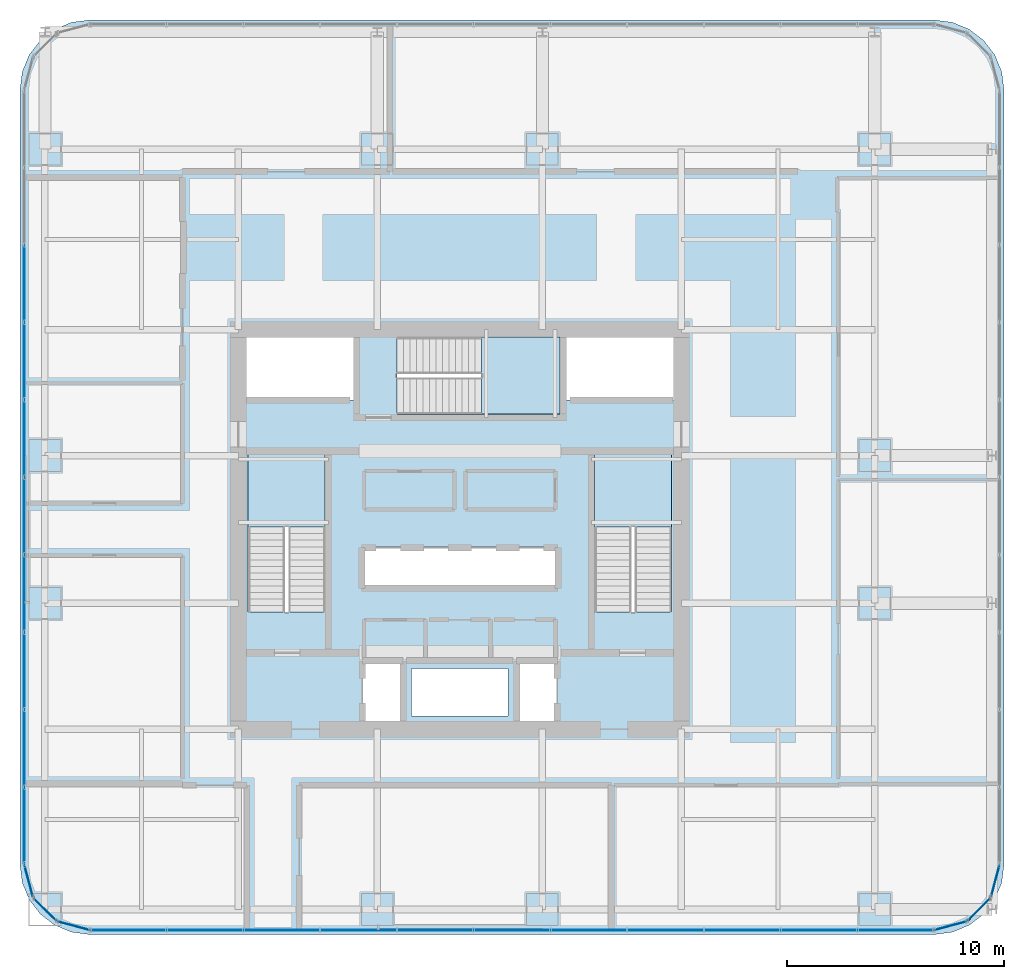
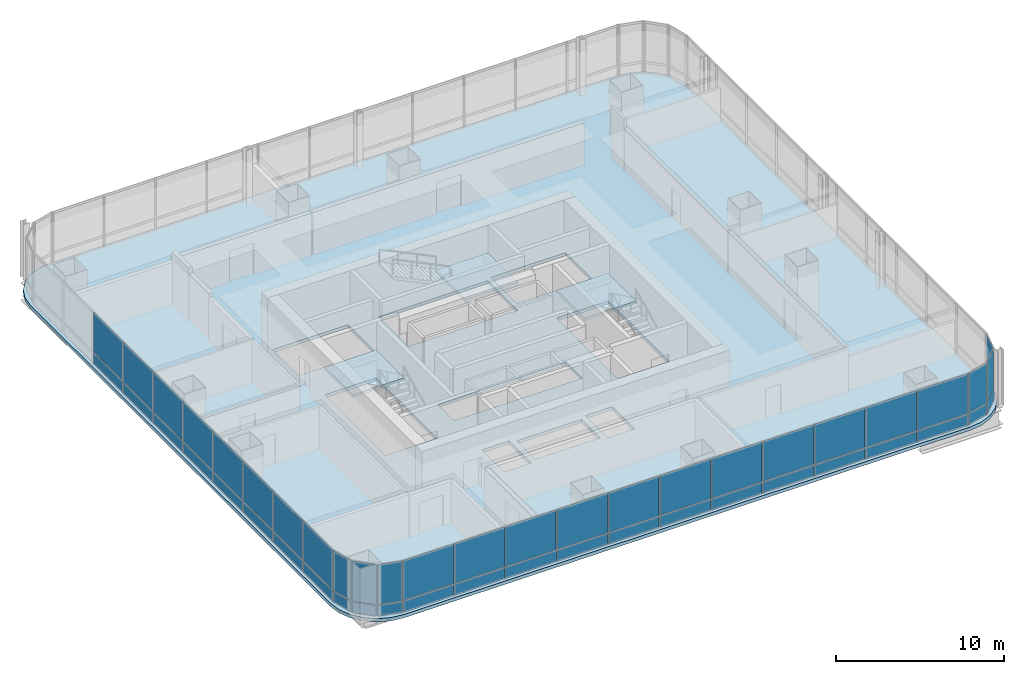
# One storey, part 25 of 34: 50 plates, 4 slabs, 11 elements without a shape of their own.
"""IFC4 building model written with IfcOpenShell, lengths in metres."""

import ifcopenshell
import ifcopenshell.guid

model = None  # the IFC model being written
_history = None  # IfcOwnerHistory: only IFC2X3 demands one
_inside = {}  # id of a spatial element -> (the spatial element, [elements in it])
_under = {}  # id of a project, library or spatial element -> (it, [spatial elements below it])
_declared = {}  # id of a project -> (the project, [libraries it declares])
_typed = {}  # id of a type object -> (the type object, [elements of that type])
_made_of = {}  # id of a material, layer set ... -> (it, [elements and type objects made of it])


def new_model(schema):
    """Start an empty IFC model of exactly this schema.

    Asked for "IFC4X3", IfcOpenShell would pick the latest addendum, in which some entities
    have other attributes; the version numbers below select the first issue.
    IFC2X3 requires an IfcOwnerHistory on every rooted entity: one is made here for all.
    """
    global model, _history
    if schema == "IFC4X3":
        model = ifcopenshell.file(schema_version=(4, 3, 0, 0))
    else:
        model = ifcopenshell.file(schema=schema)
    _inside.clear()
    _under.clear()
    _declared.clear()
    _typed.clear()
    _made_of.clear()
    _history = None
    if model.schema == "IFC2X3":
        org = make("IfcOrganization", Name="unknown")
        user = make(
            "IfcPersonAndOrganization",
            ThePerson=make("IfcPerson", FamilyName="unknown"),
            TheOrganization=org,
        )
        app = make(
            "IfcApplication",
            ApplicationDeveloper=org,
            Version="unknown",
            ApplicationFullName="unknown",
            ApplicationIdentifier="unknown",
        )
        _history = make(
            "IfcOwnerHistory",
            OwningUser=user,
            OwningApplication=app,
            ChangeAction="ADDED",
            CreationDate=0,
        )
    return model


def make(cls, **values):
    """One entity of the class cls with the attributes given. An attribute that is None is left unset."""
    return model.create_entity(
        cls, **{name: value for name, value in values.items() if value is not None}
    )


def rooted(cls, **values):
    """An entity with a GlobalId (a new one), such as an element, a storey or a relation."""
    return make(cls, GlobalId=ifcopenshell.guid.new(), OwnerHistory=_history, **values)


def si_unit(unit_type, name, prefix=None):
    """IfcSIUnit, for example si_unit("LENGTHUNIT", "METRE", prefix="MILLI")."""
    return make("IfcSIUnit", UnitType=unit_type, Prefix=prefix, Name=name)


def assignment(units):
    """IfcUnitAssignment: the units of a project."""
    return None if units is None else make("IfcUnitAssignment", Units=units)


def point(xyz):
    """IfcCartesianPoint."""
    return None if xyz is None else make("IfcCartesianPoint", Coordinates=xyz)


def direction(xyz):
    """IfcDirection."""
    return None if xyz is None else make("IfcDirection", DirectionRatios=xyz)


def frame(location, z_axis=None, x_axis=None):
    """IfcAxis2Placement3D, a coordinate frame: its origin and axes. An axis left out is left unset."""
    return make(
        "IfcAxis2Placement3D",
        Location=point(location),
        Axis=direction(z_axis),
        RefDirection=direction(x_axis),
    )


def frame_2d(location, x_axis=None):
    """IfcAxis2Placement2D, a coordinate frame in the plane: its origin and x axis."""
    return make(
        "IfcAxis2Placement2D", Location=point(location), RefDirection=direction(x_axis)
    )


def origin():
    """The frame at (0, 0, 0) with its axes left unset."""
    return frame((0.0, 0.0, 0.0))


def origin_2d():
    """The frame at (0, 0) in the plane with its x axis left unset."""
    return frame_2d((0.0, 0.0))


def place(relative_to, where):
    """IfcLocalPlacement: puts the frame where relative to a parent placement (None: the world)."""
    return make(
        "IfcLocalPlacement", PlacementRelTo=relative_to, RelativePlacement=where
    )


def context(
    kind, dimensions, precision=None, world=None, true_north=None, identifier=None
):
    """IfcGeometricRepresentationContext, for example the 3D "Model" context."""
    return make(
        "IfcGeometricRepresentationContext",
        ContextIdentifier=identifier,
        ContextType=kind,
        CoordinateSpaceDimension=dimensions,
        Precision=precision,
        WorldCoordinateSystem=world,
        TrueNorth=true_north,
    )


def subcontext(parent, identifier, kind, view, scale=None):
    """IfcGeometricRepresentationSubContext, for example "Body" below "Model"."""
    return make(
        "IfcGeometricRepresentationSubContext",
        ContextIdentifier=identifier,
        ContextType=kind,
        ParentContext=parent,
        TargetScale=scale,
        TargetView=view,
    )


def project(units=None, contexts=None):
    """IfcProject with its units and contexts."""
    return rooted(
        "IfcProject",
        Name="project",
        RepresentationContexts=contexts,
        UnitsInContext=assignment(units),
    )


def spatial(cls, under=None, at=None, **own):
    """A site, building, storey or space (cls), placed at a placement, below another one or the project."""
    s = rooted(cls, ObjectPlacement=at, **own)
    if under is not None:
        _under.setdefault(under.id(), (under, []))[1].append(s)
    return s


def polyline(points):
    """IfcPolyline through the points."""
    return make("IfcPolyline", Points=[point(p) for p in points])


def profile(cls, at=None, kind="AREA", **sizes):
    """A parametric profile (cls). Its sizes go by their IFC names, for example OverallWidth=200.0."""
    return make(cls, ProfileType=kind, Position=at, **sizes)


def rectangle(**sizes):
    """IfcRectangleProfileDef."""
    return profile("IfcRectangleProfileDef", **sizes)


def outline(outer, holes=None, kind="AREA"):
    """IfcArbitraryClosedProfileDef: a profile drawn as a closed curve; with holes, ...WithVoids."""
    if holes is None:
        return make("IfcArbitraryClosedProfileDef", ProfileType=kind, OuterCurve=outer)
    return make(
        "IfcArbitraryProfileDefWithVoids",
        ProfileType=kind,
        OuterCurve=outer,
        InnerCurves=holes,
    )


def extrude(swept, where, along, depth):
    """IfcExtrudedAreaSolid: the profile swept, set in the frame where, extruded along a direction by depth."""
    return make(
        "IfcExtrudedAreaSolid",
        SweptArea=swept,
        Position=where,
        ExtrudedDirection=direction(along),
        Depth=depth,
    )


def shape(context_of_items, identifier, shape_type, items):
    """IfcShapeRepresentation: the items that make up one representation, for example the "Body"."""
    return make(
        "IfcShapeRepresentation",
        ContextOfItems=context_of_items,
        RepresentationIdentifier=identifier,
        RepresentationType=shape_type,
        Items=items,
    )


def material(Name=None, Category=None):
    """IfcMaterial."""
    return make("IfcMaterial", Name=Name, Category=Category)


def layer(
    of_material, thickness, ventilated=None, Name=None, Category=None, Priority=None
):
    """IfcMaterialLayer: one layer of a wall or slab, of a material (None: an air gap)."""
    return make(
        "IfcMaterialLayer",
        Material=of_material,
        LayerThickness=thickness,
        IsVentilated=ventilated,
        Name=Name,
        Category=Category,
        Priority=Priority,
    )


def layer_set(layers, Name=None):
    """IfcMaterialLayerSet."""
    return make("IfcMaterialLayerSet", MaterialLayers=layers, LayerSetName=Name)


def made_of(thing, what):
    """Note that an element or type object is made of a material, layer set ...; save() writes the relation."""
    if what is not None:
        _made_of.setdefault(what.id(), (what, []))[1].append(thing)
    return thing


def type_object(cls, material=None, **own):
    """A type object (cls), such as IfcWallType, which elements share."""
    return made_of(rooted(cls, **own), material)


def element(
    cls,
    number,
    at=None,
    inside=None,
    cuts=None,
    type_object=None,
    material=None,
    context=None,
    identifier="Body",
    shape_type=None,
    held_by="IfcProductDefinitionShape",
    body=None,
    shapes=None,
    **own,
):
    """One element of the class cls, such as IfcWall. Its Tag is "e" and its number.

    at: its placement. inside: the storey or other place that contains it. cuts: it is an
    opening in that element (IfcRelVoidsElement). A single representation is given by context,
    identifier, shape_type and body (its items); several are given by shapes. held_by: the class
    of the entity that holds the representations. save() writes the other relations.
    """
    e = rooted(cls, Tag="e%d" % number, ObjectPlacement=at, **own)
    if body is not None:
        shapes = [shape(context, identifier, shape_type, body)]
    if shapes is not None:
        e.Representation = make(held_by, Representations=shapes)
    if inside is not None:
        _inside.setdefault(inside.id(), (inside, []))[1].append(e)
    if cuts is not None:
        rooted(
            "IfcRelVoidsElement", RelatingBuildingElement=cuts, RelatedOpeningElement=e
        )
    if type_object is not None:
        _typed.setdefault(type_object.id(), (type_object, []))[1].append(e)
    return made_of(e, material)


def aggregate(whole, parts):
    """IfcRelAggregates: a whole, such as a stair, and the parts it consists of."""
    return rooted("IfcRelAggregates", RelatingObject=whole, RelatedObjects=parts)


def save(model, path):
    """Write the relations noted so far, then the file.

    IfcRelAggregates (storeys below a building ...), IfcRelContainedInSpatialStructure (elements
    in a storey), IfcRelDefinesByType, IfcRelAssociatesMaterial and IfcRelDeclares: one each for
    every whole, place, type object, material and project.
    """
    for whole, parts in _under.values():
        aggregate(whole, parts)
    for where, things in _inside.values():
        rooted(
            "IfcRelContainedInSpatialStructure",
            RelatedElements=things,
            RelatingStructure=where,
        )
    for kind, things in _typed.values():
        rooted("IfcRelDefinesByType", RelatedObjects=things, RelatingType=kind)
    for what, things in _made_of.values():
        rooted("IfcRelAssociatesMaterial", RelatedObjects=things, RelatingMaterial=what)
    for by, libraries in _declared.values():
        rooted("IfcRelDeclares", RelatingContext=by, RelatedDefinitions=libraries)
    model.write(path)


model = new_model("IFC4")

# Units and contexts
model_context = context("Model", 3, precision=1e-05, world=origin(), true_north=direction((0.0, 1.0)))
body_context = subcontext(model_context, "Body", "Model", "MODEL_VIEW")
ifc_project = project(units=[si_unit("LENGTHUNIT", "METRE"), si_unit("AREAUNIT", "SQUARE_METRE"), si_unit("VOLUMEUNIT", "CUBIC_METRE"), si_unit("PLANEANGLEUNIT", "RADIAN"), si_unit("MASSUNIT", "GRAM", prefix="KILO")], contexts=[model_context])

# Site, building, storey
site_placement = place(None, origin())
site = spatial("IfcSite", under=ifc_project, at=site_placement, CompositionType="ELEMENT")
building_placement = place(site_placement, origin())
building = spatial("IfcBuilding", under=site, at=building_placement, Name="Punatoya Terracotta Tower", CompositionType="ELEMENT")
storey_placement = place(building_placement, frame((0.0, 0.0, 97.050048828125)))
storey = spatial("IfcBuildingStorey", under=building, at=storey_placement, Name="L22", CompositionType="ELEMENT", Elevation=97.050048828125)

# Curtain wall, plates
ifc_material_1 = material(Name="Aluminium 6063-T6 + Double Low-E Glass", Category="aluminium")
curtain_wall_type = type_object("IfcCurtainWallType", Name="CW-M1", PredefinedType="NOTDEFINED", material=ifc_material_1)
curtain_wall_1_placement = place(storey_placement, origin())
curtain_wall_1 = element("IfcCurtainWall", 1, at=curtain_wall_1_placement, inside=storey, type_object=curtain_wall_type, Name="L22 Curtain Wall CW-L22-S01-1", PredefinedType="NOTDEFINED")
ifc_material_2 = material(Name="Double Low-E Clear Vision Glass", Category="glass")
ifc_layer_1 = layer(ifc_material_2, 0.028076171875)
ifc_layer_set_1 = layer_set([ifc_layer_1], Name="Double Low-E Clear Vision Glass")
plate_type_1 = type_object("IfcPlateType", Name="PLT-GLZ-28", PredefinedType="CURTAIN_PANEL", material=ifc_layer_set_1)
plate_1_placement = place(storey_placement, frame((-15.27001953125, -18.449951171875, 0.889892578125), z_axis=(0.0, 0.0, 1.0), x_axis=(1.0, 0.0, 0.0)))
plate_1 = element("IfcPlate", 2, at=plate_1_placement, type_object=plate_type_1, Name="CW-L22-S01-1 Vision Glass Panel 1", PredefinedType="CURTAIN_PANEL", context=body_context, shape_type="SweptSolid", body=[
    extrude(rectangle(XDim=3.448974609375, YDim=0.028076171875, at=origin_2d()), origin(), (0.0, 0.0, 1.0), 2.8798828125),
])
plate_2_placement = place(storey_placement, frame((-11.73583984375, -18.449951171875, 0.889892578125), z_axis=(0.0, 0.0, 1.0), x_axis=(1.0, 0.0, 0.0)))
plate_2 = element("IfcPlate", 3, at=plate_2_placement, type_object=plate_type_1, Name="CW-L22-S01-1 Vision Glass Panel 2", PredefinedType="CURTAIN_PANEL", context=body_context, shape_type="SweptSolid", body=[
    extrude(rectangle(XDim=3.448974609375, YDim=0.028076171875, at=origin_2d()), origin(), (0.0, 0.0, 1.0), 2.8798828125),
])
plate_3_placement = place(storey_placement, frame((-8.201904296875, -18.449951171875, 0.889892578125), z_axis=(0.0, 0.0, 1.0), x_axis=(1.0, 0.0, 0.0)))
plate_3 = element("IfcPlate", 4, at=plate_3_placement, type_object=plate_type_1, Name="CW-L22-S01-1 Vision Glass Panel 3", PredefinedType="CURTAIN_PANEL", context=body_context, shape_type="SweptSolid", body=[
    extrude(rectangle(XDim=3.448974609375, YDim=0.028076171875, at=origin_2d()), origin(), (0.0, 0.0, 1.0), 2.8798828125),
])
plate_4_placement = place(storey_placement, frame((-4.66796875, -18.449951171875, 0.889892578125), z_axis=(0.0, 0.0, 1.0), x_axis=(1.0, 0.0, 0.0)))
plate_4 = element("IfcPlate", 5, at=plate_4_placement, type_object=plate_type_1, Name="CW-L22-S01-1 Vision Glass Panel 4", PredefinedType="CURTAIN_PANEL", context=body_context, shape_type="SweptSolid", body=[
    extrude(rectangle(XDim=3.448974609375, YDim=0.028076171875, at=origin_2d()), origin(), (0.0, 0.0, 1.0), 2.8798828125),
])
plate_5_placement = place(storey_placement, frame((-1.134033203125, -18.449951171875, 0.889892578125), z_axis=(0.0, 0.0, 1.0), x_axis=(1.0, 0.0, 0.0)))
plate_5 = element("IfcPlate", 6, at=plate_5_placement, type_object=plate_type_1, Name="CW-L22-S01-1 Vision Glass Panel 5", PredefinedType="CURTAIN_PANEL", context=body_context, shape_type="SweptSolid", body=[
    extrude(rectangle(XDim=3.448974609375, YDim=0.028076171875, at=origin_2d()), origin(), (0.0, 0.0, 1.0), 2.8798828125),
])
plate_6_placement = place(storey_placement, frame((2.39990234375, -18.449951171875, 0.889892578125), z_axis=(0.0, 0.0, 1.0), x_axis=(1.0, 0.0, 0.0)))
plate_6 = element("IfcPlate", 7, at=plate_6_placement, type_object=plate_type_1, Name="CW-L22-S01-1 Vision Glass Panel 6", PredefinedType="CURTAIN_PANEL", context=body_context, shape_type="SweptSolid", body=[
    extrude(rectangle(XDim=3.448974609375, YDim=0.028076171875, at=origin_2d()), origin(), (0.0, 0.0, 1.0), 2.8798828125),
])
plate_7_placement = place(storey_placement, frame((5.93408203125, -18.449951171875, 0.889892578125), z_axis=(0.0, 0.0, 1.0), x_axis=(1.0, 0.0, 0.0)))
plate_7 = element("IfcPlate", 8, at=plate_7_placement, type_object=plate_type_1, Name="CW-L22-S01-1 Vision Glass Panel 7", PredefinedType="CURTAIN_PANEL", context=body_context, shape_type="SweptSolid", body=[
    extrude(rectangle(XDim=3.448974609375, YDim=0.028076171875, at=origin_2d()), origin(), (0.0, 0.0, 1.0), 2.8798828125),
])
plate_8_placement = place(storey_placement, frame((9.468017578125, -18.449951171875, 0.889892578125), z_axis=(0.0, 0.0, 1.0), x_axis=(1.0, 0.0, 0.0)))
plate_8 = element("IfcPlate", 9, at=plate_8_placement, type_object=plate_type_1, Name="CW-L22-S01-1 Vision Glass Panel 8", PredefinedType="CURTAIN_PANEL", context=body_context, shape_type="SweptSolid", body=[
    extrude(rectangle(XDim=3.448974609375, YDim=0.028076171875, at=origin_2d()), origin(), (0.0, 0.0, 1.0), 2.8798828125),
])
plate_9_placement = place(storey_placement, frame((13.001953125, -18.449951171875, 0.889892578125), z_axis=(0.0, 0.0, 1.0), x_axis=(1.0, 0.0, 0.0)))
plate_9 = element("IfcPlate", 10, at=plate_9_placement, type_object=plate_type_1, Name="CW-L22-S01-1 Vision Glass Panel 9", PredefinedType="CURTAIN_PANEL", context=body_context, shape_type="SweptSolid", body=[
    extrude(rectangle(XDim=3.448974609375, YDim=0.028076171875, at=origin_2d()), origin(), (0.0, 0.0, 1.0), 2.8798828125),
])
plate_10_placement = place(storey_placement, frame((16.535888671875, -18.449951171875, 0.889892578125), z_axis=(0.0, 0.0, 1.0), x_axis=(1.0, 0.0, 0.0)))
plate_10 = element("IfcPlate", 11, at=plate_10_placement, type_object=plate_type_1, Name="CW-L22-S01-1 Vision Glass Panel 10", PredefinedType="CURTAIN_PANEL", context=body_context, shape_type="SweptSolid", body=[
    extrude(rectangle(XDim=3.448974609375, YDim=0.028076171875, at=origin_2d()), origin(), (0.0, 0.0, 1.0), 2.8798828125),
])
plate_11_placement = place(storey_placement, frame((20.06982421875, -18.449951171875, 0.889892578125), z_axis=(0.0, 0.0, 1.0), x_axis=(1.0, 0.0, 0.0)))
plate_11 = element("IfcPlate", 12, at=plate_11_placement, type_object=plate_type_1, Name="CW-L22-S01-1 Vision Glass Panel 11", PredefinedType="CURTAIN_PANEL", context=body_context, shape_type="SweptSolid", body=[
    extrude(rectangle(XDim=3.448974609375, YDim=0.028076171875, at=origin_2d()), origin(), (0.0, 0.0, 1.0), 2.8798828125),
])

# Curtain wall, plate
curtain_wall_2_placement = place(storey_placement, origin())
curtain_wall_2 = element("IfcCurtainWall", 13, at=curtain_wall_2_placement, inside=storey, type_object=curtain_wall_type, Name="L22 Curtain Wall CW-L22-CRN02", PredefinedType="NOTDEFINED")
plate_12_placement = place(storey_placement, frame((22.593017578125, -18.248291015625, 0.889892578125), z_axis=(0.0, 0.0, 1.0), x_axis=(0.966213877436, 0.257741620719, 0.0)))
plate_12 = element("IfcPlate", 14, at=plate_12_placement, type_object=plate_type_1, Name="CW-L22-CRN02 Vision Glass Panel 1", PredefinedType="CURTAIN_PANEL", context=body_context, shape_type="SweptSolid", body=[
    extrude(rectangle(XDim=1.47998046875, YDim=0.028076171875, at=origin_2d()), origin(), (0.0, 0.0, 1.0), 2.8798828125),
])

curtain_wall_3_placement = place(storey_placement, origin())
curtain_wall_3 = element("IfcCurtainWall", 15, at=curtain_wall_3_placement, inside=storey, type_object=curtain_wall_type, Name="L22 Curtain Wall CW-L22-CRN03", PredefinedType="NOTDEFINED")
plate_13_placement = place(storey_placement, frame((23.89794921875, -17.497802734375, 0.889892578125), z_axis=(0.0, 0.0, 1.0), x_axis=(0.707106781187, 0.707106781187, 0.0)))
plate_13 = element("IfcPlate", 16, at=plate_13_placement, type_object=plate_type_1, Name="CW-L22-CRN03 Vision Glass Panel 1", PredefinedType="CURTAIN_PANEL", context=body_context, shape_type="SweptSolid", body=[
    extrude(rectangle(XDim=1.467041015625, YDim=0.028076171875, at=origin_2d()), origin(), (0.0, 0.0, 1.0), 2.8798828125),
])

curtain_wall_4_placement = place(storey_placement, origin())
curtain_wall_4 = element("IfcCurtainWall", 17, at=curtain_wall_4_placement, inside=storey, type_object=curtain_wall_type, Name="L22 Curtain Wall CW-L22-CRN04", PredefinedType="NOTDEFINED")
plate_14_placement = place(storey_placement, frame((24.648193359375, -16.193115234375, 0.889892578125), z_axis=(0.0, 0.0, 1.0), x_axis=(0.257741620719, 0.966213877436, 0.0)))
plate_14 = element("IfcPlate", 18, at=plate_14_placement, type_object=plate_type_1, Name="CW-L22-CRN04 Vision Glass Panel 1", PredefinedType="CURTAIN_PANEL", context=body_context, shape_type="SweptSolid", body=[
    extrude(rectangle(XDim=1.47998046875, YDim=0.028076171875, at=origin_2d()), origin(), (0.0, 0.0, 1.0), 2.8798828125),
])

# Curtain wall, plates
curtain_wall_5_placement = place(storey_placement, origin())
curtain_wall_5 = element("IfcCurtainWall", 19, at=curtain_wall_5_placement, inside=storey, type_object=curtain_wall_type, Name="L22 Curtain Wall CW-L22-W13-1", PredefinedType="NOTDEFINED")
plate_15_placement = place(storey_placement, frame((-20.050048828125, 11.318359375, 0.889892578125), z_axis=(0.0, 0.0, 1.0), x_axis=(0.0, -1.0, 0.0)))
plate_15 = element("IfcPlate", 20, at=plate_15_placement, type_object=plate_type_1, Name="CW-L22-W13-1 Vision Glass Panel 3", PredefinedType="CURTAIN_PANEL", context=body_context, shape_type="SweptSolid", body=[
    extrude(rectangle(XDim=3.482421875, YDim=0.028076171875, at=origin_2d()), origin(), (0.0, 0.0, 1.0), 2.8798828125),
])
plate_16_placement = place(storey_placement, frame((-20.050048828125, 7.751220703125, 0.889892578125), z_axis=(0.0, 0.0, 1.0), x_axis=(0.0, -1.0, 0.0)))
plate_16 = element("IfcPlate", 21, at=plate_16_placement, type_object=plate_type_1, Name="CW-L22-W13-1 Vision Glass Panel 4", PredefinedType="CURTAIN_PANEL", context=body_context, shape_type="SweptSolid", body=[
    extrude(rectangle(XDim=3.482421875, YDim=0.028076171875, at=origin_2d()), origin(), (0.0, 0.0, 1.0), 2.8798828125),
])
plate_17_placement = place(storey_placement, frame((-20.050048828125, 4.18359375, 0.889892578125), z_axis=(0.0, 0.0, 1.0), x_axis=(0.0, -1.0, 0.0)))
plate_17 = element("IfcPlate", 22, at=plate_17_placement, type_object=plate_type_1, Name="CW-L22-W13-1 Vision Glass Panel 5", PredefinedType="CURTAIN_PANEL", context=body_context, shape_type="SweptSolid", body=[
    extrude(rectangle(XDim=3.482421875, YDim=0.028076171875, at=origin_2d()), origin(), (0.0, 0.0, 1.0), 2.8798828125),
])
plate_18_placement = place(storey_placement, frame((-20.050048828125, 0.6162109375, 0.889892578125), z_axis=(0.0, 0.0, 1.0), x_axis=(0.0, -1.0, 0.0)))
plate_18 = element("IfcPlate", 23, at=plate_18_placement, type_object=plate_type_1, Name="CW-L22-W13-1 Vision Glass Panel 6", PredefinedType="CURTAIN_PANEL", context=body_context, shape_type="SweptSolid", body=[
    extrude(rectangle(XDim=3.482421875, YDim=0.028076171875, at=origin_2d()), origin(), (0.0, 0.0, 1.0), 2.8798828125),
])
plate_19_placement = place(storey_placement, frame((-20.050048828125, -2.951171875, 0.889892578125), z_axis=(0.0, 0.0, 1.0), x_axis=(0.0, -1.0, 0.0)))
plate_19 = element("IfcPlate", 24, at=plate_19_placement, type_object=plate_type_1, Name="CW-L22-W13-1 Vision Glass Panel 7", PredefinedType="CURTAIN_PANEL", context=body_context, shape_type="SweptSolid", body=[
    extrude(rectangle(XDim=3.482421875, YDim=0.028076171875, at=origin_2d()), origin(), (0.0, 0.0, 1.0), 2.8798828125),
])
plate_20_placement = place(storey_placement, frame((-20.050048828125, -6.518310546875, 0.889892578125), z_axis=(0.0, 0.0, 1.0), x_axis=(0.0, -1.0, 0.0)))
plate_20 = element("IfcPlate", 25, at=plate_20_placement, type_object=plate_type_1, Name="CW-L22-W13-1 Vision Glass Panel 8", PredefinedType="CURTAIN_PANEL", context=body_context, shape_type="SweptSolid", body=[
    extrude(rectangle(XDim=3.482421875, YDim=0.028076171875, at=origin_2d()), origin(), (0.0, 0.0, 1.0), 2.8798828125),
])
plate_21_placement = place(storey_placement, frame((-20.050048828125, -10.085693359375, 0.889892578125), z_axis=(0.0, 0.0, 1.0), x_axis=(0.0, -1.0, 0.0)))
plate_21 = element("IfcPlate", 26, at=plate_21_placement, type_object=plate_type_1, Name="CW-L22-W13-1 Vision Glass Panel 9", PredefinedType="CURTAIN_PANEL", context=body_context, shape_type="SweptSolid", body=[
    extrude(rectangle(XDim=3.482421875, YDim=0.028076171875, at=origin_2d()), origin(), (0.0, 0.0, 1.0), 2.8798828125),
])
plate_22_placement = place(storey_placement, frame((-20.050048828125, -13.6533203125, 0.889892578125), z_axis=(0.0, 0.0, 1.0), x_axis=(0.0, -1.0, 0.0)))
plate_22 = element("IfcPlate", 27, at=plate_22_placement, type_object=plate_type_1, Name="CW-L22-W13-1 Vision Glass Panel 10", PredefinedType="CURTAIN_PANEL", context=body_context, shape_type="SweptSolid", body=[
    extrude(rectangle(XDim=3.482421875, YDim=0.028076171875, at=origin_2d()), origin(), (0.0, 0.0, 1.0), 2.8798828125),
])

# Curtain wall, plate
curtain_wall_6_placement = place(storey_placement, origin())
curtain_wall_6 = element("IfcCurtainWall", 28, at=curtain_wall_6_placement, inside=storey, type_object=curtain_wall_type, Name="L22 Curtain Wall CW-L22-CRN14", PredefinedType="NOTDEFINED")
plate_23_placement = place(storey_placement, frame((-19.848388671875, -16.193115234375, 0.889892578125), z_axis=(0.0, 0.0, 1.0), x_axis=(0.257741620719, -0.966213877436, 0.0)))
plate_23 = element("IfcPlate", 29, at=plate_23_placement, type_object=plate_type_1, Name="CW-L22-CRN14 Vision Glass Panel 1", PredefinedType="CURTAIN_PANEL", context=body_context, shape_type="SweptSolid", body=[
    extrude(rectangle(XDim=1.47998046875, YDim=0.028076171875, at=origin_2d()), origin(), (0.0, 0.0, 1.0), 2.8798828125),
])

curtain_wall_7_placement = place(storey_placement, origin())
curtain_wall_7 = element("IfcCurtainWall", 30, at=curtain_wall_7_placement, inside=storey, type_object=curtain_wall_type, Name="L22 Curtain Wall CW-L22-CRN15", PredefinedType="NOTDEFINED")
plate_24_placement = place(storey_placement, frame((-19.097900390625, -17.497802734375, 0.889892578125), z_axis=(0.0, 0.0, 1.0), x_axis=(0.707106781187, -0.707106781187, 0.0)))
plate_24 = element("IfcPlate", 31, at=plate_24_placement, type_object=plate_type_1, Name="CW-L22-CRN15 Vision Glass Panel 1", PredefinedType="CURTAIN_PANEL", context=body_context, shape_type="SweptSolid", body=[
    extrude(rectangle(XDim=1.467041015625, YDim=0.028076171875, at=origin_2d()), origin(), (0.0, 0.0, 1.0), 2.8798828125),
])

curtain_wall_8_placement = place(storey_placement, origin())
curtain_wall_8 = element("IfcCurtainWall", 32, at=curtain_wall_8_placement, inside=storey, type_object=curtain_wall_type, Name="L22 Curtain Wall CW-L22-CRN16", PredefinedType="NOTDEFINED")
plate_25_placement = place(storey_placement, frame((-17.79296875, -18.248291015625, 0.889892578125), z_axis=(0.0, 0.0, 1.0), x_axis=(0.966213877436, -0.257741620719, 0.0)))
plate_25 = element("IfcPlate", 33, at=plate_25_placement, type_object=plate_type_1, Name="CW-L22-CRN16 Vision Glass Panel 1", PredefinedType="CURTAIN_PANEL", context=body_context, shape_type="SweptSolid", body=[
    extrude(rectangle(XDim=1.47998046875, YDim=0.028076171875, at=origin_2d()), origin(), (0.0, 0.0, 1.0), 2.8798828125),
])

# Plate
ifc_material_3 = material(Name="Insulated Terracotta-Backed Spandrel Panel", Category="masonry")
ifc_layer_2 = layer(ifc_material_3, 0.044921875)
ifc_layer_set_2 = layer_set([ifc_layer_2], Name="Insulated Terracotta-Backed Spandrel Panel")
plate_type_2 = type_object("IfcPlateType", Name="PLT-SPN-45", PredefinedType="CURTAIN_PANEL", material=ifc_layer_set_2)
plate_26_placement = place(storey_placement, frame((-15.27001953125, -18.449951171875, 0.0400390625), z_axis=(0.0, 0.0, 1.0), x_axis=(1.0, 0.0, 0.0)))
plate_26 = element("IfcPlate", 34, at=plate_26_placement, type_object=plate_type_2, Name="CW-L22-S01-1 Terracotta Spandrel Panel 1", PredefinedType="CURTAIN_PANEL", context=body_context, shape_type="SweptSolid", body=[
    extrude(rectangle(XDim=3.448974609375, YDim=0.044921875, at=origin_2d()), origin(), (0.0, 0.0, 1.0), 0.77490234375),
])

plate_27_placement = place(storey_placement, frame((-11.73583984375, -18.449951171875, 0.0400390625), z_axis=(0.0, 0.0, 1.0), x_axis=(1.0, 0.0, 0.0)))
plate_27 = element("IfcPlate", 35, at=plate_27_placement, type_object=plate_type_2, Name="CW-L22-S01-1 Terracotta Spandrel Panel 2", PredefinedType="CURTAIN_PANEL", context=body_context, shape_type="SweptSolid", body=[
    extrude(rectangle(XDim=3.448974609375, YDim=0.044921875, at=origin_2d()), origin(), (0.0, 0.0, 1.0), 0.77490234375),
])

plate_28_placement = place(storey_placement, frame((-8.201904296875, -18.449951171875, 0.0400390625), z_axis=(0.0, 0.0, 1.0), x_axis=(1.0, 0.0, 0.0)))
plate_28 = element("IfcPlate", 36, at=plate_28_placement, type_object=plate_type_2, Name="CW-L22-S01-1 Terracotta Spandrel Panel 3", PredefinedType="CURTAIN_PANEL", context=body_context, shape_type="SweptSolid", body=[
    extrude(rectangle(XDim=3.448974609375, YDim=0.044921875, at=origin_2d()), origin(), (0.0, 0.0, 1.0), 0.77490234375),
])

plate_29_placement = place(storey_placement, frame((-4.66796875, -18.449951171875, 0.0400390625), z_axis=(0.0, 0.0, 1.0), x_axis=(1.0, 0.0, 0.0)))
plate_29 = element("IfcPlate", 37, at=plate_29_placement, type_object=plate_type_2, Name="CW-L22-S01-1 Terracotta Spandrel Panel 4", PredefinedType="CURTAIN_PANEL", context=body_context, shape_type="SweptSolid", body=[
    extrude(rectangle(XDim=3.448974609375, YDim=0.044921875, at=origin_2d()), origin(), (0.0, 0.0, 1.0), 0.77490234375),
])

plate_30_placement = place(storey_placement, frame((-1.134033203125, -18.449951171875, 0.0400390625), z_axis=(0.0, 0.0, 1.0), x_axis=(1.0, 0.0, 0.0)))
plate_30 = element("IfcPlate", 38, at=plate_30_placement, type_object=plate_type_2, Name="CW-L22-S01-1 Terracotta Spandrel Panel 5", PredefinedType="CURTAIN_PANEL", context=body_context, shape_type="SweptSolid", body=[
    extrude(rectangle(XDim=3.448974609375, YDim=0.044921875, at=origin_2d()), origin(), (0.0, 0.0, 1.0), 0.77490234375),
])

plate_31_placement = place(storey_placement, frame((2.39990234375, -18.449951171875, 0.0400390625), z_axis=(0.0, 0.0, 1.0), x_axis=(1.0, 0.0, 0.0)))
plate_31 = element("IfcPlate", 39, at=plate_31_placement, type_object=plate_type_2, Name="CW-L22-S01-1 Terracotta Spandrel Panel 6", PredefinedType="CURTAIN_PANEL", context=body_context, shape_type="SweptSolid", body=[
    extrude(rectangle(XDim=3.448974609375, YDim=0.044921875, at=origin_2d()), origin(), (0.0, 0.0, 1.0), 0.77490234375),
])

plate_32_placement = place(storey_placement, frame((5.93408203125, -18.449951171875, 0.0400390625), z_axis=(0.0, 0.0, 1.0), x_axis=(1.0, 0.0, 0.0)))
plate_32 = element("IfcPlate", 40, at=plate_32_placement, type_object=plate_type_2, Name="CW-L22-S01-1 Terracotta Spandrel Panel 7", PredefinedType="CURTAIN_PANEL", context=body_context, shape_type="SweptSolid", body=[
    extrude(rectangle(XDim=3.448974609375, YDim=0.044921875, at=origin_2d()), origin(), (0.0, 0.0, 1.0), 0.77490234375),
])

plate_33_placement = place(storey_placement, frame((9.468017578125, -18.449951171875, 0.0400390625), z_axis=(0.0, 0.0, 1.0), x_axis=(1.0, 0.0, 0.0)))
plate_33 = element("IfcPlate", 41, at=plate_33_placement, type_object=plate_type_2, Name="CW-L22-S01-1 Terracotta Spandrel Panel 8", PredefinedType="CURTAIN_PANEL", context=body_context, shape_type="SweptSolid", body=[
    extrude(rectangle(XDim=3.448974609375, YDim=0.044921875, at=origin_2d()), origin(), (0.0, 0.0, 1.0), 0.77490234375),
])

plate_34_placement = place(storey_placement, frame((13.001953125, -18.449951171875, 0.0400390625), z_axis=(0.0, 0.0, 1.0), x_axis=(1.0, 0.0, 0.0)))
plate_34 = element("IfcPlate", 42, at=plate_34_placement, type_object=plate_type_2, Name="CW-L22-S01-1 Terracotta Spandrel Panel 9", PredefinedType="CURTAIN_PANEL", context=body_context, shape_type="SweptSolid", body=[
    extrude(rectangle(XDim=3.448974609375, YDim=0.044921875, at=origin_2d()), origin(), (0.0, 0.0, 1.0), 0.77490234375),
])

plate_35_placement = place(storey_placement, frame((16.535888671875, -18.449951171875, 0.0400390625), z_axis=(0.0, 0.0, 1.0), x_axis=(1.0, 0.0, 0.0)))
plate_35 = element("IfcPlate", 43, at=plate_35_placement, type_object=plate_type_2, Name="CW-L22-S01-1 Terracotta Spandrel Panel 10", PredefinedType="CURTAIN_PANEL", context=body_context, shape_type="SweptSolid", body=[
    extrude(rectangle(XDim=3.448974609375, YDim=0.044921875, at=origin_2d()), origin(), (0.0, 0.0, 1.0), 0.77490234375),
])

plate_36_placement = place(storey_placement, frame((20.06982421875, -18.449951171875, 0.0400390625), z_axis=(0.0, 0.0, 1.0), x_axis=(1.0, 0.0, 0.0)))
plate_36 = element("IfcPlate", 44, at=plate_36_placement, type_object=plate_type_2, Name="CW-L22-S01-1 Terracotta Spandrel Panel 11", PredefinedType="CURTAIN_PANEL", context=body_context, shape_type="SweptSolid", body=[
    extrude(rectangle(XDim=3.448974609375, YDim=0.044921875, at=origin_2d()), origin(), (0.0, 0.0, 1.0), 0.77490234375),
])

aggregate(curtain_wall_1, [plate_26, plate_1, plate_27, plate_2, plate_28, plate_3, plate_29, plate_4, plate_30, plate_5, plate_31, plate_6, plate_32, plate_7, plate_33, plate_8, plate_34, plate_9, plate_35, plate_10, plate_36, plate_11])

plate_37_placement = place(storey_placement, frame((22.593017578125, -18.248291015625, 0.0400390625), z_axis=(0.0, 0.0, 1.0), x_axis=(0.966213877436, 0.257741620719, 0.0)))
plate_37 = element("IfcPlate", 45, at=plate_37_placement, type_object=plate_type_2, Name="CW-L22-CRN02 Terracotta Spandrel Panel 1", PredefinedType="CURTAIN_PANEL", context=body_context, shape_type="SweptSolid", body=[
    extrude(rectangle(XDim=1.47998046875, YDim=0.044921875, at=origin_2d()), origin(), (0.0, 0.0, 1.0), 0.77490234375),
])

aggregate(curtain_wall_2, [plate_37, plate_12])

plate_38_placement = place(storey_placement, frame((23.89794921875, -17.497802734375, 0.0400390625), z_axis=(0.0, 0.0, 1.0), x_axis=(0.707106781187, 0.707106781187, 0.0)))
plate_38 = element("IfcPlate", 46, at=plate_38_placement, type_object=plate_type_2, Name="CW-L22-CRN03 Terracotta Spandrel Panel 1", PredefinedType="CURTAIN_PANEL", context=body_context, shape_type="SweptSolid", body=[
    extrude(rectangle(XDim=1.467041015625, YDim=0.044921875, at=origin_2d()), origin(), (0.0, 0.0, 1.0), 0.77490234375),
])

aggregate(curtain_wall_3, [plate_38, plate_13])

plate_39_placement = place(storey_placement, frame((24.648193359375, -16.193115234375, 0.0400390625), z_axis=(0.0, 0.0, 1.0), x_axis=(0.257741620719, 0.966213877436, 0.0)))
plate_39 = element("IfcPlate", 47, at=plate_39_placement, type_object=plate_type_2, Name="CW-L22-CRN04 Terracotta Spandrel Panel 1", PredefinedType="CURTAIN_PANEL", context=body_context, shape_type="SweptSolid", body=[
    extrude(rectangle(XDim=1.47998046875, YDim=0.044921875, at=origin_2d()), origin(), (0.0, 0.0, 1.0), 0.77490234375),
])

aggregate(curtain_wall_4, [plate_39, plate_14])

plate_40_placement = place(storey_placement, frame((-20.050048828125, 11.318359375, 0.0400390625), z_axis=(0.0, 0.0, 1.0), x_axis=(0.0, -1.0, 0.0)))
plate_40 = element("IfcPlate", 48, at=plate_40_placement, type_object=plate_type_2, Name="CW-L22-W13-1 Terracotta Spandrel Panel 3", PredefinedType="CURTAIN_PANEL", context=body_context, shape_type="SweptSolid", body=[
    extrude(rectangle(XDim=3.482421875, YDim=0.044921875, at=origin_2d()), origin(), (0.0, 0.0, 1.0), 0.77490234375),
])

plate_41_placement = place(storey_placement, frame((-20.050048828125, 7.751220703125, 0.0400390625), z_axis=(0.0, 0.0, 1.0), x_axis=(0.0, -1.0, 0.0)))
plate_41 = element("IfcPlate", 49, at=plate_41_placement, type_object=plate_type_2, Name="CW-L22-W13-1 Terracotta Spandrel Panel 4", PredefinedType="CURTAIN_PANEL", context=body_context, shape_type="SweptSolid", body=[
    extrude(rectangle(XDim=3.482421875, YDim=0.044921875, at=origin_2d()), origin(), (0.0, 0.0, 1.0), 0.77490234375),
])

plate_42_placement = place(storey_placement, frame((-20.050048828125, 4.18359375, 0.0400390625), z_axis=(0.0, 0.0, 1.0), x_axis=(0.0, -1.0, 0.0)))
plate_42 = element("IfcPlate", 50, at=plate_42_placement, type_object=plate_type_2, Name="CW-L22-W13-1 Terracotta Spandrel Panel 5", PredefinedType="CURTAIN_PANEL", context=body_context, shape_type="SweptSolid", body=[
    extrude(rectangle(XDim=3.482421875, YDim=0.044921875, at=origin_2d()), origin(), (0.0, 0.0, 1.0), 0.77490234375),
])

plate_43_placement = place(storey_placement, frame((-20.050048828125, 0.6162109375, 0.0400390625), z_axis=(0.0, 0.0, 1.0), x_axis=(0.0, -1.0, 0.0)))
plate_43 = element("IfcPlate", 51, at=plate_43_placement, type_object=plate_type_2, Name="CW-L22-W13-1 Terracotta Spandrel Panel 6", PredefinedType="CURTAIN_PANEL", context=body_context, shape_type="SweptSolid", body=[
    extrude(rectangle(XDim=3.482421875, YDim=0.044921875, at=origin_2d()), origin(), (0.0, 0.0, 1.0), 0.77490234375),
])

plate_44_placement = place(storey_placement, frame((-20.050048828125, -2.951171875, 0.0400390625), z_axis=(0.0, 0.0, 1.0), x_axis=(0.0, -1.0, 0.0)))
plate_44 = element("IfcPlate", 52, at=plate_44_placement, type_object=plate_type_2, Name="CW-L22-W13-1 Terracotta Spandrel Panel 7", PredefinedType="CURTAIN_PANEL", context=body_context, shape_type="SweptSolid", body=[
    extrude(rectangle(XDim=3.482421875, YDim=0.044921875, at=origin_2d()), origin(), (0.0, 0.0, 1.0), 0.77490234375),
])

plate_45_placement = place(storey_placement, frame((-20.050048828125, -6.518310546875, 0.0400390625), z_axis=(0.0, 0.0, 1.0), x_axis=(0.0, -1.0, 0.0)))
plate_45 = element("IfcPlate", 53, at=plate_45_placement, type_object=plate_type_2, Name="CW-L22-W13-1 Terracotta Spandrel Panel 8", PredefinedType="CURTAIN_PANEL", context=body_context, shape_type="SweptSolid", body=[
    extrude(rectangle(XDim=3.482421875, YDim=0.044921875, at=origin_2d()), origin(), (0.0, 0.0, 1.0), 0.77490234375),
])

plate_46_placement = place(storey_placement, frame((-20.050048828125, -10.085693359375, 0.0400390625), z_axis=(0.0, 0.0, 1.0), x_axis=(0.0, -1.0, 0.0)))
plate_46 = element("IfcPlate", 54, at=plate_46_placement, type_object=plate_type_2, Name="CW-L22-W13-1 Terracotta Spandrel Panel 9", PredefinedType="CURTAIN_PANEL", context=body_context, shape_type="SweptSolid", body=[
    extrude(rectangle(XDim=3.482421875, YDim=0.044921875, at=origin_2d()), origin(), (0.0, 0.0, 1.0), 0.77490234375),
])

plate_47_placement = place(storey_placement, frame((-20.050048828125, -13.6533203125, 0.0400390625), z_axis=(0.0, 0.0, 1.0), x_axis=(0.0, -1.0, 0.0)))
plate_47 = element("IfcPlate", 55, at=plate_47_placement, type_object=plate_type_2, Name="CW-L22-W13-1 Terracotta Spandrel Panel 10", PredefinedType="CURTAIN_PANEL", context=body_context, shape_type="SweptSolid", body=[
    extrude(rectangle(XDim=3.482421875, YDim=0.044921875, at=origin_2d()), origin(), (0.0, 0.0, 1.0), 0.77490234375),
])

aggregate(curtain_wall_5, [plate_40, plate_15, plate_41, plate_16, plate_42, plate_17, plate_43, plate_18, plate_44, plate_19, plate_45, plate_20, plate_46, plate_21, plate_47, plate_22])

plate_48_placement = place(storey_placement, frame((-19.848388671875, -16.193115234375, 0.0400390625), z_axis=(0.0, 0.0, 1.0), x_axis=(0.257741620719, -0.966213877436, 0.0)))
plate_48 = element("IfcPlate", 56, at=plate_48_placement, type_object=plate_type_2, Name="CW-L22-CRN14 Terracotta Spandrel Panel 1", PredefinedType="CURTAIN_PANEL", context=body_context, shape_type="SweptSolid", body=[
    extrude(rectangle(XDim=1.47998046875, YDim=0.044921875, at=origin_2d()), origin(), (0.0, 0.0, 1.0), 0.77490234375),
])

aggregate(curtain_wall_6, [plate_48, plate_23])

plate_49_placement = place(storey_placement, frame((-19.097900390625, -17.497802734375, 0.0400390625), z_axis=(0.0, 0.0, 1.0), x_axis=(0.707106781187, -0.707106781187, 0.0)))
plate_49 = element("IfcPlate", 57, at=plate_49_placement, type_object=plate_type_2, Name="CW-L22-CRN15 Terracotta Spandrel Panel 1", PredefinedType="CURTAIN_PANEL", context=body_context, shape_type="SweptSolid", body=[
    extrude(rectangle(XDim=1.467041015625, YDim=0.044921875, at=origin_2d()), origin(), (0.0, 0.0, 1.0), 0.77490234375),
])

aggregate(curtain_wall_7, [plate_49, plate_24])

plate_50_placement = place(storey_placement, frame((-17.79296875, -18.248291015625, 0.0400390625), z_axis=(0.0, 0.0, 1.0), x_axis=(0.966213877436, -0.257741620719, 0.0)))
plate_50 = element("IfcPlate", 58, at=plate_50_placement, type_object=plate_type_2, Name="CW-L22-CRN16 Terracotta Spandrel Panel 1", PredefinedType="CURTAIN_PANEL", context=body_context, shape_type="SweptSolid", body=[
    extrude(rectangle(XDim=1.47998046875, YDim=0.044921875, at=origin_2d()), origin(), (0.0, 0.0, 1.0), 0.77490234375),
])

aggregate(curtain_wall_8, [plate_50, plate_25])

# Stair, slab
ifc_material_4 = material(Name="Concrete C40/50", Category="concrete")
stair_type_1 = type_object("IfcStairType", Name="STR-TER-1450", PredefinedType="HALF_TURN_STAIR", material=ifc_material_4)
stair_1_placement = place(storey_placement, origin())
stair_1 = element("IfcStair", 59, at=stair_1_placement, inside=storey, type_object=stair_type_1, Name="L22 Protected Core Exit Stair ST-3", PredefinedType="HALF_TURN_STAIR")
ifc_layer_3 = layer(ifc_material_4, 0.1650390625)
ifc_layer_set_3 = layer_set([ifc_layer_3], Name="Concrete C40/50")
slab_type_1 = type_object("IfcSlabType", Name="SLB-LND-165", PredefinedType="LANDING", material=ifc_layer_set_3)
slab_1_placement = place(storey_placement, frame((0.0, 0.0, 1.824951171875)))
slab_1 = element("IfcSlab", 60, at=slab_1_placement, type_object=slab_type_1, Name="ST-3 landing 1", PredefinedType="LANDING", context=body_context, shape_type="SweptSolid", body=[
    extrude(outline(polyline([(1.0, 5.300048828125), (4.60009765625, 5.300048828125), (4.60009765625, 8.85009765625), (1.0, 8.85009765625), (1.0, 5.300048828125)])), origin(), (0.0, 0.0, 1.0), 0.199951171875),
])
aggregate(stair_1, [slab_1])

stair_type_2 = type_object("IfcStairType", Name="STR-CORE-1550", PredefinedType="HALF_TURN_STAIR", material=ifc_material_4)
stair_2_placement = place(storey_placement, origin())
stair_2 = element("IfcStair", 61, at=stair_2_placement, inside=storey, type_object=stair_type_2, Name="L22 Protected Core Exit Stair ST-1", PredefinedType="HALF_TURN_STAIR")
ifc_layer_4 = layer(ifc_material_4, 0.179931640625)
ifc_layer_set_4 = layer_set([ifc_layer_4], Name="Concrete C40/50")
slab_type_2 = type_object("IfcSlabType", Name="SLB-LND-180", PredefinedType="LANDING", material=ifc_layer_set_4)
slab_2_placement = place(storey_placement, frame((0.0, 0.0, 1.824951171875)))
slab_2 = element("IfcSlab", 62, at=slab_2_placement, type_object=slab_type_2, Name="ST-1 landing 1", PredefinedType="LANDING", context=body_context, shape_type="SweptSolid", body=[
    extrude(outline(polyline([(-6.199951171875, 0.10009765625), (-6.199951171875, 3.449951171875), (-9.75, 3.449951171875), (-9.75, 0.10009765625), (-6.199951171875, 0.10009765625)])), origin(), (0.0, 0.0, 1.0), 0.199951171875),
])
aggregate(stair_2, [slab_2])

stair_type_3 = type_object("IfcStairType", Name="STR-LOB-1650", PredefinedType="HALF_TURN_STAIR", material=ifc_material_4)
stair_3_placement = place(storey_placement, origin())
stair_3 = element("IfcStair", 63, at=stair_3_placement, inside=storey, type_object=stair_type_3, Name="L22 Protected Core Exit Stair ST-2", PredefinedType="HALF_TURN_STAIR")
slab_3_placement = place(storey_placement, frame((0.0, 0.0, 1.824951171875)))
slab_3 = element("IfcSlab", 64, at=slab_3_placement, type_object=slab_type_2, Name="ST-2 landing 1", PredefinedType="LANDING", context=body_context, shape_type="SweptSolid", body=[
    extrude(outline(polyline([(9.75, 0.10009765625), (9.75, 3.449951171875), (6.199951171875, 3.449951171875), (6.199951171875, 0.10009765625), (9.75, 0.10009765625)])), origin(), (0.0, 0.0, 1.0), 0.199951171875),
])
aggregate(stair_3, [slab_3])

# Slab
ifc_layer_5 = layer(ifc_material_4, 0.239990234375)
ifc_layer_set_5 = layer_set([ifc_layer_5], Name="Concrete C40/50")
slab_type_3 = type_object("IfcSlabType", Name="SLB-OFF-240", PredefinedType="FLOOR", material=ifc_layer_set_5)
slab_4_placement = place(storey_placement, frame((0.0, 0.0, -0.239990234375)))
element("IfcSlab", 65, at=slab_4_placement, inside=storey, type_object=slab_type_3, Name="L22 Structural Floor Slab", PredefinedType="FLOOR", context=body_context, shape_type="SweptSolid", body=[
    extrude(outline(polyline([(-17.050048828125, -18.64990234375), (-17.878173828125, -18.541015625), (-18.64990234375, -18.22119140625), (-19.312744140625, -17.712646484375), (-19.8212890625, -17.050048828125), (-20.14111328125, -16.2783203125), (-20.25, -15.449951171875), (-20.25, 20.25), (-20.14111328125, 21.078125), (-19.8212890625, 21.85009765625), (-19.312744140625, 22.5126953125), (-18.64990234375, 23.021240234375), (-17.878173828125, 23.341064453125), (-17.050048828125, 23.449951171875), (21.85009765625, 23.449951171875), (22.67822265625, 23.341064453125), (23.449951171875, 23.021240234375), (24.11279296875, 22.5126953125), (24.621337890625, 21.85009765625), (24.94091796875, 21.078125), (25.050048828125, 20.25), (25.050048828125, -15.449951171875), (24.94091796875, -16.2783203125), (24.621337890625, -17.050048828125), (24.11279296875, -17.712646484375), (23.449951171875, -18.22119140625), (22.67822265625, -18.541015625), (21.85009765625, -18.64990234375), (-17.050048828125, -18.64990234375)]), holes=[polyline([(-2.6298828125, -6.179931640625), (-4.469970703125, -6.179931640625), (-4.469970703125, -8.820068359375), (-2.6298828125, -8.820068359375), (-2.6298828125, -6.179931640625)]), polyline([(0.02001953125, -8.594970703125), (2.219970703125, -8.594970703125), (2.219970703125, -6.405029296875), (0.02001953125, -6.405029296875), (-0.02001953125, -6.405029296875), (-2.219970703125, -6.405029296875), (-2.219970703125, -8.594970703125), (-0.02001953125, -8.594970703125), (0.02001953125, -8.594970703125)]), polyline([(-2.219970703125, -2.719970703125), (-2.179931640625, -2.719970703125), (-0.02001953125, -2.719970703125), (0.02001953125, -2.719970703125), (2.179931640625, -2.719970703125), (2.219970703125, -2.719970703125), (4.419921875, -2.719970703125), (4.419921875, -0.780029296875), (2.219970703125, -0.780029296875), (2.179931640625, -0.780029296875), (0.02001953125, -0.780029296875), (-0.02001953125, -0.780029296875), (-2.179931640625, -0.780029296875), (-2.219970703125, -0.780029296875), (-4.419921875, -0.780029296875), (-4.419921875, -2.719970703125), (-2.219970703125, -2.719970703125)]), polyline([(-6.199951171875, 3.449951171875), (-9.75, 3.449951171875), (-9.75, -3.79931640625), (-6.199951171875, -3.79931640625), (-6.199951171875, 3.449951171875)]), polyline([(4.60009765625, 5.300048828125), (4.60009765625, 8.85009765625), (-2.899169921875, 8.85009765625), (-2.899169921875, 5.300048828125), (4.60009765625, 5.300048828125)]), polyline([(-4.89990234375, 9.050048828125), (-10.050048828125, 9.050048828125), (-10.050048828125, 5.949951171875), (-4.89990234375, 5.949951171875), (-4.89990234375, 9.050048828125)]), polyline([(4.469970703125, -8.820068359375), (4.469970703125, -6.179931640625), (2.6298828125, -6.179931640625), (2.6298828125, -8.820068359375), (4.469970703125, -8.820068359375)]), polyline([(9.75, 3.449951171875), (6.199951171875, 3.449951171875), (6.199951171875, -3.79931640625), (9.75, -3.79931640625), (9.75, 3.449951171875)]), polyline([(10.050048828125, 5.949951171875), (10.050048828125, 9.050048828125), (4.89990234375, 9.050048828125), (4.89990234375, 5.949951171875), (10.050048828125, 5.949951171875)])]), origin(), (0.0, 0.0, 1.0), 0.239990234375),
])

save(model, "model.ifc")
